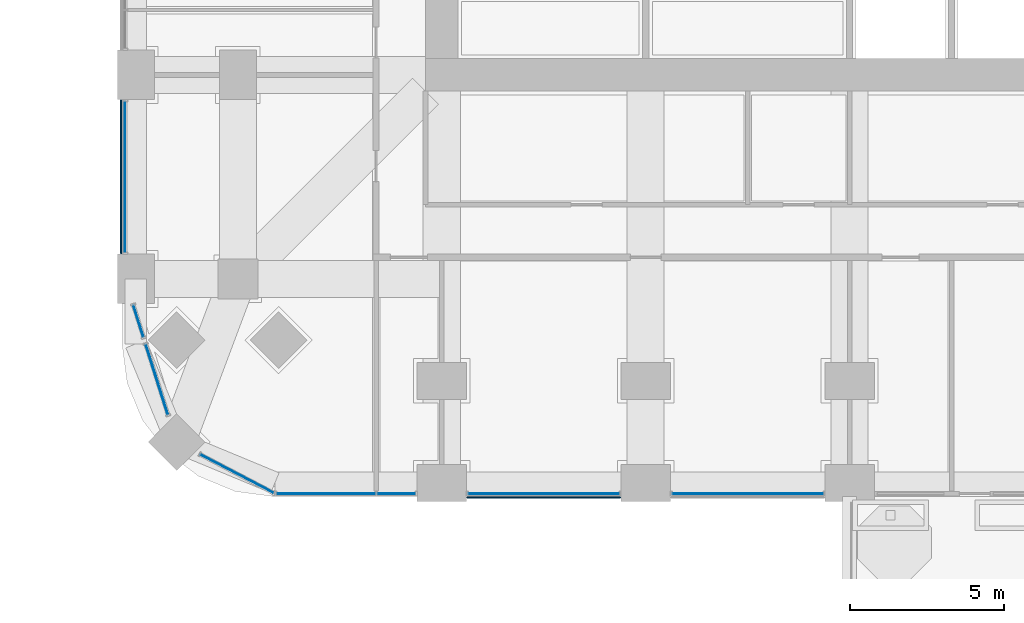
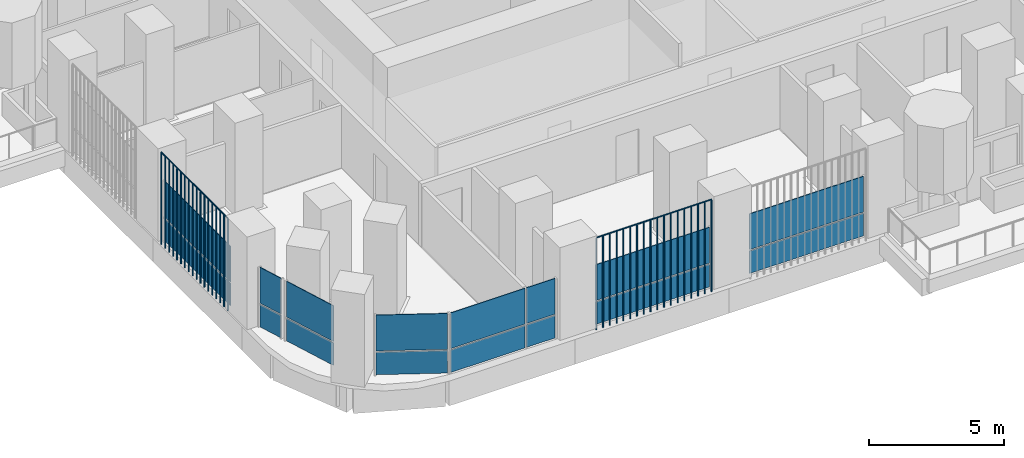
# One storey, part 9 of 23: 18 plates, 7 elements without a shape of their own.
"""IFC4 building model written with IfcOpenShell, lengths in metres."""

from ifc_helpers import new_model, si_unit, direction, frame, origin, origin_2d, place, context, subcontext, project, spatial, polyline, rectangle, outline, extrude, material, layer, layer_set, type_object, element, aggregate, save


model = new_model("IFC4")

# Units and contexts
model_context = context("Model", 3, precision=1e-05, world=origin(), true_north=direction((0.0, 1.0)))
body_context = subcontext(model_context, "Body", "Model", "MODEL_VIEW")
ifc_project = project(units=[si_unit("LENGTHUNIT", "METRE"), si_unit("AREAUNIT", "SQUARE_METRE"), si_unit("VOLUMEUNIT", "CUBIC_METRE"), si_unit("PLANEANGLEUNIT", "RADIAN"), si_unit("MASSUNIT", "GRAM", prefix="KILO")], contexts=[model_context])

# Site, building, storey
site_placement = place(None, origin())
site = spatial("IfcSite", under=ifc_project, at=site_placement, CompositionType="ELEMENT")
building_placement = place(site_placement, origin())
building = spatial("IfcBuilding", under=site, at=building_placement, Name="Cobogo Forest Laboratory Tower", CompositionType="ELEMENT")
storey_placement = place(building_placement, frame((0.0, 0.0, 103.199951171875)))
storey = spatial("IfcBuildingStorey", under=building, at=storey_placement, Name="L23", CompositionType="ELEMENT", Elevation=103.199951171875)

# Curtain wall, plates
ifc_material_1 = material(Name="Aluminium curtain wall", Category="aluminium")
curtain_wall_type = type_object("IfcCurtainWallType", Name="CW-1 unitised curtain wall, clear glazing, laboratory floors zones A and B", PredefinedType="USERDEFINED", material=ifc_material_1)
curtain_wall_1_placement = place(storey_placement, origin())
curtain_wall_1 = element("IfcCurtainWall", 1, at=curtain_wall_1_placement, inside=storey, type_object=curtain_wall_type, Name="Curtain wall 01 L23", ObjectType="UNITISED CURTAIN WALL", PredefinedType="USERDEFINED")
ifc_material_2 = material(Name="Clear insulated glass", Category="glass")
ifc_layer = layer(ifc_material_2, 0.028076171875)
ifc_layer_set = layer_set([ifc_layer], Name="GP-1 clear insulated glass unit 28")
plate_type_1 = type_object("IfcPlateType", Name="GP-1 clear insulated glass unit 28", PredefinedType="CURTAIN_PANEL", material=ifc_layer_set)
plate_1_placement = place(storey_placement, frame((9.452392578125, -0.35009765625, 0.0), z_axis=(0.0, 0.0, 1.0), x_axis=(1.0, 0.0, 0.0)))
plate_1 = element("IfcPlate", 2, at=plate_1_placement, type_object=plate_type_1, Name="CW-1 panel 1.1", PredefinedType="CURTAIN_PANEL", context=body_context, shape_type="SweptSolid", body=[
    extrude(rectangle(XDim=3.18505859375, YDim=0.028076171875, at=origin_2d()), origin(), (0.0, 0.0, 1.0), 1.02001953125),
])
plate_2_placement = place(storey_placement, frame((9.452392578125, -0.35009765625, 1.080078125), z_axis=(0.0, 0.0, 1.0), x_axis=(1.0, 0.0, 0.0)))
plate_2 = element("IfcPlate", 3, at=plate_2_placement, type_object=plate_type_1, Name="CW-1 panel 1.2", PredefinedType="CURTAIN_PANEL", context=body_context, shape_type="SweptSolid", body=[
    extrude(rectangle(XDim=3.18505859375, YDim=0.028076171875, at=origin_2d()), origin(), (0.0, 0.0, 1.0), 1.6201171875),
])
plate_3_placement = place(storey_placement, frame((11.722412109375, -0.35009765625, 0.0), z_axis=(0.0, 0.0, 1.0), x_axis=(1.0, 0.0, 0.0)))
plate_3 = element("IfcPlate", 4, at=plate_3_placement, type_object=plate_type_1, Name="CW-1 panel 2.1", PredefinedType="CURTAIN_PANEL", context=body_context, shape_type="SweptSolid", body=[
    extrude(rectangle(XDim=1.235107421875, YDim=0.028076171875, at=origin_2d()), origin(), (0.0, 0.0, 1.0), 1.02001953125),
])
plate_4_placement = place(storey_placement, frame((11.722412109375, -0.35009765625, 1.080078125), z_axis=(0.0, 0.0, 1.0), x_axis=(1.0, 0.0, 0.0)))
plate_4 = element("IfcPlate", 5, at=plate_4_placement, type_object=plate_type_1, Name="CW-1 panel 2.2", PredefinedType="CURTAIN_PANEL", context=body_context, shape_type="SweptSolid", body=[
    extrude(rectangle(XDim=1.235107421875, YDim=0.028076171875, at=origin_2d()), origin(), (0.0, 0.0, 1.0), 1.6201171875),
])
aggregate(curtain_wall_1, [plate_1, plate_2, plate_3, plate_4])

curtain_wall_2_placement = place(storey_placement, origin())
curtain_wall_2 = element("IfcCurtainWall", 6, at=curtain_wall_2_placement, inside=storey, type_object=curtain_wall_type, Name="Curtain wall 02 L23", ObjectType="UNITISED CURTAIN WALL", PredefinedType="USERDEFINED")
plate_5_placement = place(storey_placement, frame((16.5, -0.35009765625, 0.0), z_axis=(0.0, 0.0, 1.0), x_axis=(1.0, 0.0, 0.0)))
plate_5 = element("IfcPlate", 7, at=plate_5_placement, type_object=plate_type_1, Name="CW-1 panel 1.1", PredefinedType="CURTAIN_PANEL", context=body_context, shape_type="SweptSolid", body=[
    extrude(rectangle(XDim=4.8798828125, YDim=0.028076171875, at=origin_2d()), origin(), (0.0, 0.0, 1.0), 1.02001953125),
])
plate_6_placement = place(storey_placement, frame((16.5, -0.35009765625, 1.080078125), z_axis=(0.0, 0.0, 1.0), x_axis=(1.0, 0.0, 0.0)))
plate_6 = element("IfcPlate", 8, at=plate_6_placement, type_object=plate_type_1, Name="CW-1 panel 1.2", PredefinedType="CURTAIN_PANEL", context=body_context, shape_type="SweptSolid", body=[
    extrude(rectangle(XDim=4.8798828125, YDim=0.028076171875, at=origin_2d()), origin(), (0.0, 0.0, 1.0), 1.6201171875),
])
aggregate(curtain_wall_2, [plate_5, plate_6])

curtain_wall_3_placement = place(storey_placement, origin())
curtain_wall_3 = element("IfcCurtainWall", 9, at=curtain_wall_3_placement, inside=storey, type_object=curtain_wall_type, Name="Curtain wall 03 L23", ObjectType="UNITISED CURTAIN WALL", PredefinedType="USERDEFINED")
plate_7_placement = place(storey_placement, frame((23.10009765625, -0.35009765625, 0.0), z_axis=(0.0, 0.0, 1.0), x_axis=(1.0, 0.0, 0.0)))
plate_7 = element("IfcPlate", 10, at=plate_7_placement, type_object=plate_type_1, Name="CW-1 panel 1.1", PredefinedType="CURTAIN_PANEL", context=body_context, shape_type="SweptSolid", body=[
    extrude(rectangle(XDim=4.8798828125, YDim=0.028076171875, at=origin_2d()), origin(), (0.0, 0.0, 1.0), 1.02001953125),
])
plate_8_placement = place(storey_placement, frame((23.10009765625, -0.35009765625, 1.080078125), z_axis=(0.0, 0.0, 1.0), x_axis=(1.0, 0.0, 0.0)))
plate_8 = element("IfcPlate", 11, at=plate_8_placement, type_object=plate_type_1, Name="CW-1 panel 1.2", PredefinedType="CURTAIN_PANEL", context=body_context, shape_type="SweptSolid", body=[
    extrude(rectangle(XDim=4.8798828125, YDim=0.028076171875, at=origin_2d()), origin(), (0.0, 0.0, 1.0), 1.6201171875),
])
aggregate(curtain_wall_3, [plate_7, plate_8])

curtain_wall_4_placement = place(storey_placement, origin())
curtain_wall_4 = element("IfcCurtainWall", 12, at=curtain_wall_4_placement, inside=storey, type_object=curtain_wall_type, Name="Curtain wall 31 L23", ObjectType="UNITISED CURTAIN WALL", PredefinedType="USERDEFINED")
plate_9_placement = place(storey_placement, frame((2.949951171875, 9.89990234375, 0.0), z_axis=(0.0, 0.0, 1.0), x_axis=(0.0, -1.0, 0.0)))
plate_9 = element("IfcPlate", 13, at=plate_9_placement, type_object=plate_type_1, Name="CW-1 panel 1.1", PredefinedType="CURTAIN_PANEL", context=body_context, shape_type="SweptSolid", body=[
    extrude(rectangle(XDim=4.8798828125, YDim=0.028076171875, at=origin_2d()), origin(), (0.0, 0.0, 1.0), 1.02001953125),
])
plate_10_placement = place(storey_placement, frame((2.949951171875, 9.89990234375, 1.080078125), z_axis=(0.0, 0.0, 1.0), x_axis=(0.0, -1.0, 0.0)))
plate_10 = element("IfcPlate", 14, at=plate_10_placement, type_object=plate_type_1, Name="CW-1 panel 1.2", PredefinedType="CURTAIN_PANEL", context=body_context, shape_type="SweptSolid", body=[
    extrude(rectangle(XDim=4.8798828125, YDim=0.028076171875, at=origin_2d()), origin(), (0.0, 0.0, 1.0), 1.6201171875),
])
aggregate(curtain_wall_4, [plate_9, plate_10])

curtain_wall_5_placement = place(storey_placement, origin())
curtain_wall_5 = element("IfcCurtainWall", 15, at=curtain_wall_5_placement, inside=storey, type_object=curtain_wall_type, Name="Curtain wall 32 L23", ObjectType="UNITISED CURTAIN WALL", PredefinedType="USERDEFINED")
plate_11_placement = place(storey_placement, frame((3.3818359375, 5.232177734375, 0.0), z_axis=(0.0, 0.0, 1.0), x_axis=(0.301135667865, -0.953581307252, 0.0)))
plate_11 = element("IfcPlate", 16, at=plate_11_placement, type_object=plate_type_1, Name="CW-1 panel 1.1", PredefinedType="CURTAIN_PANEL", context=body_context, shape_type="SweptSolid", body=[
    extrude(rectangle(XDim=1.071044921875, YDim=0.028076171875, at=origin_2d()), origin(), (0.0, 0.0, 1.0), 1.02001953125),
])
plate_12_placement = place(storey_placement, frame((3.3818359375, 5.232177734375, 1.080078125), z_axis=(0.0, 0.0, 1.0), x_axis=(0.301135667865, -0.953581307252, 0.0)))
plate_12 = element("IfcPlate", 17, at=plate_12_placement, type_object=plate_type_1, Name="CW-1 panel 1.2", PredefinedType="CURTAIN_PANEL", context=body_context, shape_type="SweptSolid", body=[
    extrude(rectangle(XDim=1.071044921875, YDim=0.028076171875, at=origin_2d()), origin(), (0.0, 0.0, 1.0), 1.6201171875),
])
aggregate(curtain_wall_5, [plate_11, plate_12])

curtain_wall_6_placement = place(storey_placement, origin())
curtain_wall_6 = element("IfcCurtainWall", 18, at=curtain_wall_6_placement, inside=storey, type_object=curtain_wall_type, Name="Curtain wall 33 L23", ObjectType="UNITISED CURTAIN WALL", PredefinedType="USERDEFINED")
plate_13_placement = place(storey_placement, frame((3.978759765625, 3.342529296875, 0.0), z_axis=(0.0, 0.0, 1.0), x_axis=(0.301135291996, -0.953581425949, 0.0)))
plate_13 = element("IfcPlate", 19, at=plate_13_placement, type_object=plate_type_1, Name="CW-1 panel 1.1", PredefinedType="CURTAIN_PANEL", context=body_context, shape_type="SweptSolid", body=[
    extrude(rectangle(XDim=2.3681640625, YDim=0.028076171875, at=origin_2d()), origin(), (0.0, 0.0, 1.0), 1.02001953125),
])
plate_14_placement = place(storey_placement, frame((3.978759765625, 3.342529296875, 1.080078125), z_axis=(0.0, 0.0, 1.0), x_axis=(0.301135291996, -0.953581425949, 0.0)))
plate_14 = element("IfcPlate", 20, at=plate_14_placement, type_object=plate_type_1, Name="CW-1 panel 1.2", PredefinedType="CURTAIN_PANEL", context=body_context, shape_type="SweptSolid", body=[
    extrude(rectangle(XDim=2.3681640625, YDim=0.028076171875, at=origin_2d()), origin(), (0.0, 0.0, 1.0), 1.6201171875),
])
aggregate(curtain_wall_6, [plate_13, plate_14])

curtain_wall_7_placement = place(storey_placement, origin())
curtain_wall_7 = element("IfcCurtainWall", 21, at=curtain_wall_7_placement, inside=storey, type_object=curtain_wall_type, Name="Curtain wall 34 L23", ObjectType="UNITISED CURTAIN WALL", PredefinedType="USERDEFINED")
plate_15_placement = place(storey_placement, frame((6.57080078125, 0.29443359375, 0.0), z_axis=(0.0, 0.0, 1.0), x_axis=(0.885686547075, -0.464283685186, 0.0)))
plate_15 = element("IfcPlate", 22, at=plate_15_placement, type_object=plate_type_1, Name="CW-1 panel 1.1", PredefinedType="CURTAIN_PANEL", context=body_context, shape_type="SweptSolid", body=[
    extrude(rectangle(XDim=2.655517578125, YDim=0.028076171875, at=origin_2d()), origin(), (0.0, 0.0, 1.0), 1.02001953125),
])
plate_16_placement = place(storey_placement, frame((6.57080078125, 0.29443359375, 1.080078125), z_axis=(0.0, 0.0, 1.0), x_axis=(0.885686547075, -0.464283685186, 0.0)))
plate_16 = element("IfcPlate", 23, at=plate_16_placement, type_object=plate_type_1, Name="CW-1 panel 1.2", PredefinedType="CURTAIN_PANEL", context=body_context, shape_type="SweptSolid", body=[
    extrude(rectangle(XDim=2.655517578125, YDim=0.028076171875, at=origin_2d()), origin(), (0.0, 0.0, 1.0), 1.6201171875),
])
aggregate(curtain_wall_7, [plate_15, plate_16])

# Plates
ifc_material_3 = material(Name="Terracotta", Category="masonry")
plate_type_2 = type_object("IfcPlateType", Name="TB1 terracotta baguette screen", PredefinedType="USERDEFINED", material=ifc_material_3)
plate_17_placement = place(storey_placement, frame((14.03125, -0.477783203125, -0.14990234375)))
element("IfcPlate", 24, at=plate_17_placement, inside=storey, type_object=plate_type_2, Name="Baguette screen S1 L23", ObjectType="BAGUETTE SCREEN", PredefinedType="USERDEFINED", context=body_context, shape_type="SweptSolid", body=[
    extrude(outline(polyline([(0.02880859375, 0.011962890625), (0.011962890625, 0.02880859375), (-0.011962890625, 0.02880859375), (-0.02880859375, 0.011962890625), (-0.02880859375, -0.011962890625), (-0.011962890625, -0.02880859375), (0.011962890625, -0.02880859375), (0.02880859375, -0.011962890625), (0.02880859375, 0.011962890625)])), frame((0.0, 0.0, 4.168701171875), z_axis=(1.0, 0.0, 0.0), x_axis=(0.0, 1.0, 0.0)), (0.0, 0.0, 1.0), 4.9375),
    extrude(outline(polyline([(0.02880859375, 0.011962890625), (0.011962890625, 0.02880859375), (-0.011962890625, 0.02880859375), (-0.02880859375, 0.011962890625), (-0.02880859375, -0.011962890625), (-0.011962890625, -0.02880859375), (0.011962890625, -0.02880859375), (0.02880859375, -0.011962890625), (0.02880859375, 0.011962890625)])), origin(), (0.0, 0.0, 1.0), 4.137451171875),
    extrude(outline(polyline([(0.02880859375, 0.011962890625), (0.011962890625, 0.02880859375), (-0.011962890625, 0.02880859375), (-0.02880859375, 0.011962890625), (-0.02880859375, -0.011962890625), (-0.011962890625, -0.02880859375), (0.011962890625, -0.02880859375), (0.02880859375, -0.011962890625), (0.02880859375, 0.011962890625)])), frame((0.29052734375, 0.0, 0.0)), (0.0, 0.0, 1.0), 4.137451171875),
    extrude(outline(polyline([(0.02880859375, 0.011962890625), (0.011962890625, 0.02880859375), (-0.011962890625, 0.02880859375), (-0.02880859375, 0.011962890625), (-0.02880859375, -0.011962890625), (-0.011962890625, -0.02880859375), (0.011962890625, -0.02880859375), (0.02880859375, -0.011962890625), (0.02880859375, 0.011962890625)])), frame((0.580810546875, 0.0, 0.0)), (0.0, 0.0, 1.0), 4.137451171875),
    extrude(outline(polyline([(0.02880859375, 0.011962890625), (0.011962890625, 0.02880859375), (-0.011962890625, 0.02880859375), (-0.02880859375, 0.011962890625), (-0.02880859375, -0.011962890625), (-0.011962890625, -0.02880859375), (0.011962890625, -0.02880859375), (0.02880859375, -0.011962890625), (0.02880859375, 0.011962890625)])), frame((0.871337890625, 0.0, 0.0)), (0.0, 0.0, 1.0), 4.137451171875),
    extrude(outline(polyline([(0.02880859375, 0.011962890625), (0.011962890625, 0.02880859375), (-0.011962890625, 0.02880859375), (-0.02880859375, 0.011962890625), (-0.02880859375, -0.011962890625), (-0.011962890625, -0.02880859375), (0.011962890625, -0.02880859375), (0.02880859375, -0.011962890625), (0.02880859375, 0.011962890625)])), frame((1.161865234375, 0.0, 0.0)), (0.0, 0.0, 1.0), 4.137451171875),
    extrude(outline(polyline([(0.02880859375, 0.011962890625), (0.011962890625, 0.02880859375), (-0.011962890625, 0.02880859375), (-0.02880859375, 0.011962890625), (-0.02880859375, -0.011962890625), (-0.011962890625, -0.02880859375), (0.011962890625, -0.02880859375), (0.02880859375, -0.011962890625), (0.02880859375, 0.011962890625)])), frame((1.4521484375, 0.0, 0.0)), (0.0, 0.0, 1.0), 4.137451171875),
    extrude(outline(polyline([(0.02880859375, 0.011962890625), (0.011962890625, 0.02880859375), (-0.011962890625, 0.02880859375), (-0.02880859375, 0.011962890625), (-0.02880859375, -0.011962890625), (-0.011962890625, -0.02880859375), (0.011962890625, -0.02880859375), (0.02880859375, -0.011962890625), (0.02880859375, 0.011962890625)])), frame((1.74267578125, 0.0, 0.0)), (0.0, 0.0, 1.0), 4.137451171875),
    extrude(outline(polyline([(0.02880859375, 0.011962890625), (0.011962890625, 0.02880859375), (-0.011962890625, 0.02880859375), (-0.02880859375, 0.011962890625), (-0.02880859375, -0.011962890625), (-0.011962890625, -0.02880859375), (0.011962890625, -0.02880859375), (0.02880859375, -0.011962890625), (0.02880859375, 0.011962890625)])), frame((2.033203125, 0.0, 0.0)), (0.0, 0.0, 1.0), 4.137451171875),
    extrude(outline(polyline([(0.02880859375, 0.011962890625), (0.011962890625, 0.02880859375), (-0.011962890625, 0.02880859375), (-0.02880859375, 0.011962890625), (-0.02880859375, -0.011962890625), (-0.011962890625, -0.02880859375), (0.011962890625, -0.02880859375), (0.02880859375, -0.011962890625), (0.02880859375, 0.011962890625)])), frame((2.323486328125, 0.0, 0.0)), (0.0, 0.0, 1.0), 4.137451171875),
    extrude(outline(polyline([(0.02880859375, 0.011962890625), (0.011962890625, 0.02880859375), (-0.011962890625, 0.02880859375), (-0.02880859375, 0.011962890625), (-0.02880859375, -0.011962890625), (-0.011962890625, -0.02880859375), (0.011962890625, -0.02880859375), (0.02880859375, -0.011962890625), (0.02880859375, 0.011962890625)])), frame((2.614013671875, 0.0, 0.0)), (0.0, 0.0, 1.0), 4.137451171875),
    extrude(outline(polyline([(0.02880859375, 0.011962890625), (0.011962890625, 0.02880859375), (-0.011962890625, 0.02880859375), (-0.02880859375, 0.011962890625), (-0.02880859375, -0.011962890625), (-0.011962890625, -0.02880859375), (0.011962890625, -0.02880859375), (0.02880859375, -0.011962890625), (0.02880859375, 0.011962890625)])), frame((2.904296875, 0.0, 0.0)), (0.0, 0.0, 1.0), 4.137451171875),
    extrude(outline(polyline([(0.02880859375, 0.011962890625), (0.011962890625, 0.02880859375), (-0.011962890625, 0.02880859375), (-0.02880859375, 0.011962890625), (-0.02880859375, -0.011962890625), (-0.011962890625, -0.02880859375), (0.011962890625, -0.02880859375), (0.02880859375, -0.011962890625), (0.02880859375, 0.011962890625)])), frame((3.19482421875, 0.0, 0.0)), (0.0, 0.0, 1.0), 4.137451171875),
    extrude(outline(polyline([(0.02880859375, 0.011962890625), (0.011962890625, 0.02880859375), (-0.011962890625, 0.02880859375), (-0.02880859375, 0.011962890625), (-0.02880859375, -0.011962890625), (-0.011962890625, -0.02880859375), (0.011962890625, -0.02880859375), (0.02880859375, -0.011962890625), (0.02880859375, 0.011962890625)])), frame((3.4853515625, 0.0, 0.0)), (0.0, 0.0, 1.0), 4.137451171875),
    extrude(outline(polyline([(0.02880859375, 0.011962890625), (0.011962890625, 0.02880859375), (-0.011962890625, 0.02880859375), (-0.02880859375, 0.011962890625), (-0.02880859375, -0.011962890625), (-0.011962890625, -0.02880859375), (0.011962890625, -0.02880859375), (0.02880859375, -0.011962890625), (0.02880859375, 0.011962890625)])), frame((3.775634765625, 0.0, 0.0)), (0.0, 0.0, 1.0), 4.137451171875),
    extrude(outline(polyline([(0.02880859375, 0.011962890625), (0.011962890625, 0.02880859375), (-0.011962890625, 0.02880859375), (-0.02880859375, 0.011962890625), (-0.02880859375, -0.011962890625), (-0.011962890625, -0.02880859375), (0.011962890625, -0.02880859375), (0.02880859375, -0.011962890625), (0.02880859375, 0.011962890625)])), frame((4.066162109375, 0.0, 0.0)), (0.0, 0.0, 1.0), 4.137451171875),
    extrude(outline(polyline([(0.02880859375, 0.011962890625), (0.011962890625, 0.02880859375), (-0.011962890625, 0.02880859375), (-0.02880859375, 0.011962890625), (-0.02880859375, -0.011962890625), (-0.011962890625, -0.02880859375), (0.011962890625, -0.02880859375), (0.02880859375, -0.011962890625), (0.02880859375, 0.011962890625)])), frame((4.356689453125, 0.0, 0.0)), (0.0, 0.0, 1.0), 4.137451171875),
    extrude(outline(polyline([(0.02880859375, 0.011962890625), (0.011962890625, 0.02880859375), (-0.011962890625, 0.02880859375), (-0.02880859375, 0.011962890625), (-0.02880859375, -0.011962890625), (-0.011962890625, -0.02880859375), (0.011962890625, -0.02880859375), (0.02880859375, -0.011962890625), (0.02880859375, 0.011962890625)])), frame((4.64697265625, 0.0, 0.0)), (0.0, 0.0, 1.0), 4.137451171875),
    extrude(outline(polyline([(0.02880859375, 0.011962890625), (0.011962890625, 0.02880859375), (-0.011962890625, 0.02880859375), (-0.02880859375, 0.011962890625), (-0.02880859375, -0.011962890625), (-0.011962890625, -0.02880859375), (0.011962890625, -0.02880859375), (0.02880859375, -0.011962890625), (0.02880859375, 0.011962890625)])), frame((4.9375, 0.0, 0.0)), (0.0, 0.0, 1.0), 4.137451171875),
])
plate_18_placement = place(storey_placement, frame((2.822021484375, 7.43115234375, -0.14990234375)))
element("IfcPlate", 25, at=plate_18_placement, inside=storey, type_object=plate_type_2, Name="Baguette screen W1 L23", ObjectType="BAGUETTE SCREEN", PredefinedType="USERDEFINED", context=body_context, shape_type="SweptSolid", body=[
    extrude(outline(polyline([(0.02880859375, 0.011962890625), (0.011962890625, 0.02880859375), (-0.011962890625, 0.02880859375), (-0.02880859375, 0.011962890625), (-0.02880859375, -0.011962890625), (-0.011962890625, -0.02880859375), (0.011962890625, -0.02880859375), (0.02880859375, -0.011962890625), (0.02880859375, 0.011962890625)])), frame((0.0, 0.0, 4.168701171875), z_axis=(0.0, 1.0, 0.0), x_axis=(-1.0, 0.0, 0.0)), (0.0, 0.0, 1.0), 4.9375),
    extrude(outline(polyline([(0.02880859375, 0.011962890625), (0.011962890625, 0.02880859375), (-0.011962890625, 0.02880859375), (-0.02880859375, 0.011962890625), (-0.02880859375, -0.011962890625), (-0.011962890625, -0.02880859375), (0.011962890625, -0.02880859375), (0.02880859375, -0.011962890625), (0.02880859375, 0.011962890625)])), origin(), (0.0, 0.0, 1.0), 4.137451171875),
    extrude(outline(polyline([(0.02880859375, 0.011962890625), (0.011962890625, 0.02880859375), (-0.011962890625, 0.02880859375), (-0.02880859375, 0.011962890625), (-0.02880859375, -0.011962890625), (-0.011962890625, -0.02880859375), (0.011962890625, -0.02880859375), (0.02880859375, -0.011962890625), (0.02880859375, 0.011962890625)])), frame((0.0, 0.29052734375, 0.0)), (0.0, 0.0, 1.0), 4.137451171875),
    extrude(outline(polyline([(0.02880859375, 0.011962890625), (0.011962890625, 0.02880859375), (-0.011962890625, 0.02880859375), (-0.02880859375, 0.011962890625), (-0.02880859375, -0.011962890625), (-0.011962890625, -0.02880859375), (0.011962890625, -0.02880859375), (0.02880859375, -0.011962890625), (0.02880859375, 0.011962890625)])), frame((0.0, 0.580810546875, 0.0)), (0.0, 0.0, 1.0), 4.137451171875),
    extrude(outline(polyline([(0.02880859375, 0.011962890625), (0.011962890625, 0.02880859375), (-0.011962890625, 0.02880859375), (-0.02880859375, 0.011962890625), (-0.02880859375, -0.011962890625), (-0.011962890625, -0.02880859375), (0.011962890625, -0.02880859375), (0.02880859375, -0.011962890625), (0.02880859375, 0.011962890625)])), frame((0.0, 0.871337890625, 0.0)), (0.0, 0.0, 1.0), 4.137451171875),
    extrude(outline(polyline([(0.02880859375, 0.011962890625), (0.011962890625, 0.02880859375), (-0.011962890625, 0.02880859375), (-0.02880859375, 0.011962890625), (-0.02880859375, -0.011962890625), (-0.011962890625, -0.02880859375), (0.011962890625, -0.02880859375), (0.02880859375, -0.011962890625), (0.02880859375, 0.011962890625)])), frame((0.0, 1.161865234375, 0.0)), (0.0, 0.0, 1.0), 4.137451171875),
    extrude(outline(polyline([(0.02880859375, 0.011962890625), (0.011962890625, 0.02880859375), (-0.011962890625, 0.02880859375), (-0.02880859375, 0.011962890625), (-0.02880859375, -0.011962890625), (-0.011962890625, -0.02880859375), (0.011962890625, -0.02880859375), (0.02880859375, -0.011962890625), (0.02880859375, 0.011962890625)])), frame((0.0, 1.4521484375, 0.0)), (0.0, 0.0, 1.0), 4.137451171875),
    extrude(outline(polyline([(0.02880859375, 0.011962890625), (0.011962890625, 0.02880859375), (-0.011962890625, 0.02880859375), (-0.02880859375, 0.011962890625), (-0.02880859375, -0.011962890625), (-0.011962890625, -0.02880859375), (0.011962890625, -0.02880859375), (0.02880859375, -0.011962890625), (0.02880859375, 0.011962890625)])), frame((0.0, 1.74267578125, 0.0)), (0.0, 0.0, 1.0), 4.137451171875),
    extrude(outline(polyline([(0.02880859375, 0.011962890625), (0.011962890625, 0.02880859375), (-0.011962890625, 0.02880859375), (-0.02880859375, 0.011962890625), (-0.02880859375, -0.011962890625), (-0.011962890625, -0.02880859375), (0.011962890625, -0.02880859375), (0.02880859375, -0.011962890625), (0.02880859375, 0.011962890625)])), frame((0.0, 2.033203125, 0.0)), (0.0, 0.0, 1.0), 4.137451171875),
    extrude(outline(polyline([(0.02880859375, 0.011962890625), (0.011962890625, 0.02880859375), (-0.011962890625, 0.02880859375), (-0.02880859375, 0.011962890625), (-0.02880859375, -0.011962890625), (-0.011962890625, -0.02880859375), (0.011962890625, -0.02880859375), (0.02880859375, -0.011962890625), (0.02880859375, 0.011962890625)])), frame((0.0, 2.323486328125, 0.0)), (0.0, 0.0, 1.0), 4.137451171875),
    extrude(outline(polyline([(0.02880859375, 0.011962890625), (0.011962890625, 0.02880859375), (-0.011962890625, 0.02880859375), (-0.02880859375, 0.011962890625), (-0.02880859375, -0.011962890625), (-0.011962890625, -0.02880859375), (0.011962890625, -0.02880859375), (0.02880859375, -0.011962890625), (0.02880859375, 0.011962890625)])), frame((0.0, 2.614013671875, 0.0)), (0.0, 0.0, 1.0), 4.137451171875),
    extrude(outline(polyline([(0.02880859375, 0.011962890625), (0.011962890625, 0.02880859375), (-0.011962890625, 0.02880859375), (-0.02880859375, 0.011962890625), (-0.02880859375, -0.011962890625), (-0.011962890625, -0.02880859375), (0.011962890625, -0.02880859375), (0.02880859375, -0.011962890625), (0.02880859375, 0.011962890625)])), frame((0.0, 2.904296875, 0.0)), (0.0, 0.0, 1.0), 4.137451171875),
    extrude(outline(polyline([(0.02880859375, 0.011962890625), (0.011962890625, 0.02880859375), (-0.011962890625, 0.02880859375), (-0.02880859375, 0.011962890625), (-0.02880859375, -0.011962890625), (-0.011962890625, -0.02880859375), (0.011962890625, -0.02880859375), (0.02880859375, -0.011962890625), (0.02880859375, 0.011962890625)])), frame((0.0, 3.19482421875, 0.0)), (0.0, 0.0, 1.0), 4.137451171875),
    extrude(outline(polyline([(0.02880859375, 0.011962890625), (0.011962890625, 0.02880859375), (-0.011962890625, 0.02880859375), (-0.02880859375, 0.011962890625), (-0.02880859375, -0.011962890625), (-0.011962890625, -0.02880859375), (0.011962890625, -0.02880859375), (0.02880859375, -0.011962890625), (0.02880859375, 0.011962890625)])), frame((0.0, 3.4853515625, 0.0)), (0.0, 0.0, 1.0), 4.137451171875),
    extrude(outline(polyline([(0.02880859375, 0.011962890625), (0.011962890625, 0.02880859375), (-0.011962890625, 0.02880859375), (-0.02880859375, 0.011962890625), (-0.02880859375, -0.011962890625), (-0.011962890625, -0.02880859375), (0.011962890625, -0.02880859375), (0.02880859375, -0.011962890625), (0.02880859375, 0.011962890625)])), frame((0.0, 3.775634765625, 0.0)), (0.0, 0.0, 1.0), 4.137451171875),
    extrude(outline(polyline([(0.02880859375, 0.011962890625), (0.011962890625, 0.02880859375), (-0.011962890625, 0.02880859375), (-0.02880859375, 0.011962890625), (-0.02880859375, -0.011962890625), (-0.011962890625, -0.02880859375), (0.011962890625, -0.02880859375), (0.02880859375, -0.011962890625), (0.02880859375, 0.011962890625)])), frame((0.0, 4.066162109375, 0.0)), (0.0, 0.0, 1.0), 4.137451171875),
    extrude(outline(polyline([(0.02880859375, 0.011962890625), (0.011962890625, 0.02880859375), (-0.011962890625, 0.02880859375), (-0.02880859375, 0.011962890625), (-0.02880859375, -0.011962890625), (-0.011962890625, -0.02880859375), (0.011962890625, -0.02880859375), (0.02880859375, -0.011962890625), (0.02880859375, 0.011962890625)])), frame((0.0, 4.356689453125, 0.0)), (0.0, 0.0, 1.0), 4.137451171875),
    extrude(outline(polyline([(0.02880859375, 0.011962890625), (0.011962890625, 0.02880859375), (-0.011962890625, 0.02880859375), (-0.02880859375, 0.011962890625), (-0.02880859375, -0.011962890625), (-0.011962890625, -0.02880859375), (0.011962890625, -0.02880859375), (0.02880859375, -0.011962890625), (0.02880859375, 0.011962890625)])), frame((0.0, 4.64697265625, 0.0)), (0.0, 0.0, 1.0), 4.137451171875),
    extrude(outline(polyline([(0.02880859375, 0.011962890625), (0.011962890625, 0.02880859375), (-0.011962890625, 0.02880859375), (-0.02880859375, 0.011962890625), (-0.02880859375, -0.011962890625), (-0.011962890625, -0.02880859375), (0.011962890625, -0.02880859375), (0.02880859375, -0.011962890625), (0.02880859375, 0.011962890625)])), frame((0.0, 4.9375, 0.0)), (0.0, 0.0, 1.0), 4.137451171875),
])

save(model, "model.ifc")
